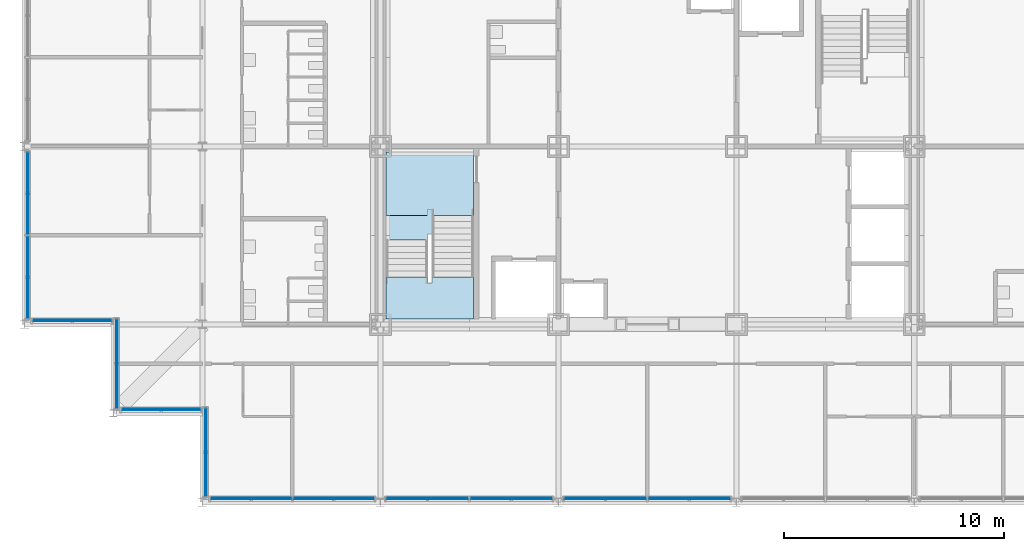
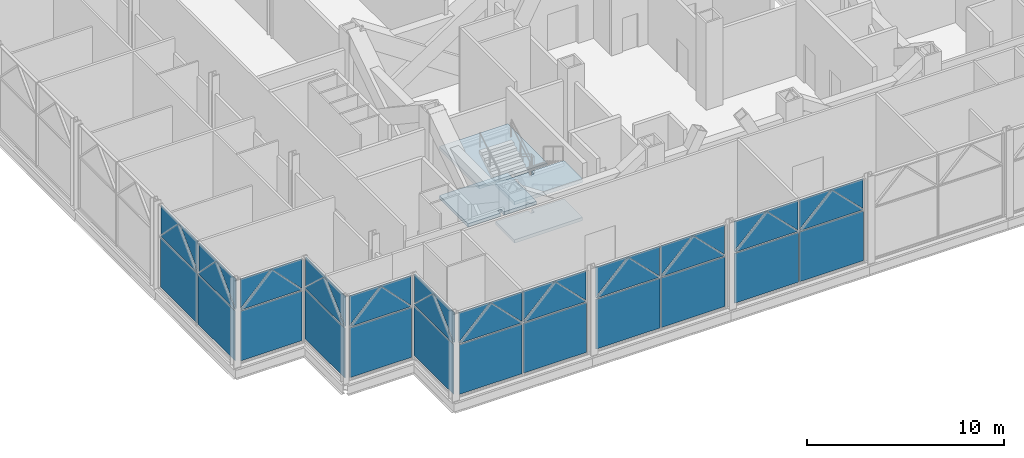
# One storey, part 14 of 26: 48 plates, 4 slabs, 9 elements without a shape of their own.
"""IFC4 building model written with IfcOpenShell, lengths in metres."""

from ifc_helpers import new_model, si_unit, direction, frame, origin, origin_2d, place, context, subcontext, project, spatial, polyline, rectangle, outline, extrude, material, layer, layer_set, type_object, element, aggregate, save


model = new_model("IFC4")

# Units and contexts
model_context = context("Model", 3, precision=1e-05, world=origin(), true_north=direction((0.0, 1.0)))
body_context = subcontext(model_context, "Body", "Model", "MODEL_VIEW")
ifc_project = project(units=[si_unit("LENGTHUNIT", "METRE"), si_unit("AREAUNIT", "SQUARE_METRE"), si_unit("VOLUMEUNIT", "CUBIC_METRE"), si_unit("PLANEANGLEUNIT", "RADIAN"), si_unit("MASSUNIT", "GRAM", prefix="KILO")], contexts=[model_context])

# Site, building, storey
site_placement = place(None, origin())
site = spatial("IfcSite", under=ifc_project, at=site_placement, CompositionType="ELEMENT")
building_placement = place(site_placement, origin())
building = spatial("IfcBuilding", under=site, at=building_placement, Name="Kopane Lantern Tower", CompositionType="ELEMENT")
storey_placement = place(building_placement, frame((0.0, 0.0, 293.10009765625)))
storey = spatial("IfcBuildingStorey", under=building, at=storey_placement, Name="L75", CompositionType="ELEMENT", Elevation=293.10009765625)

# Curtain wall, plates
ifc_material_1 = material(Name="Aluminium and clear glass", Category="aluminium")
curtain_wall_type = type_object("IfcCurtainWallType", Name="CURTAIN WALL CW5 SKY RESTAURANT", PredefinedType="USERDEFINED", material=ifc_material_1)
curtain_wall_1_placement = place(storey_placement, origin())
curtain_wall_1 = element("IfcCurtainWall", 1, at=curtain_wall_1_placement, inside=storey, type_object=curtain_wall_type, Name="Curtain wall CW5 S L75", ObjectType="CURTAIN WALL", PredefinedType="USERDEFINED")
ifc_material_2 = material(Name="Insulated clear glass unit", Category="glass")
ifc_layer_1 = layer(ifc_material_2, 0.035888671875)
ifc_layer_set_1 = layer_set([ifc_layer_1], Name="CURTAIN PANEL CW5-P 36")
plate_type = type_object("IfcPlateType", Name="CURTAIN PANEL CW5-P 36", PredefinedType="CURTAIN_PANEL", material=ifc_layer_set_1)
plate_1_placement = place(storey_placement, frame((10.317626953125, 16.35009765625, 0.0751953125), z_axis=(0.0, 0.0, 1.0), x_axis=(1.0, 0.0, 0.0)))
plate_1 = element("IfcPlate", 2, at=plate_1_placement, type_object=plate_type, Name="CW5 panel 1.1", PredefinedType="CURTAIN_PANEL", context=body_context, shape_type="SweptSolid", body=[
    extrude(rectangle(XDim=3.685302734375, YDim=0.035888671875, at=origin_2d()), origin(), (0.0, 0.0, 1.0), 3.077392578125),
])
plate_2_placement = place(storey_placement, frame((14.077880859375, 16.35009765625, 0.0751953125), z_axis=(0.0, 0.0, 1.0), x_axis=(1.0, 0.0, 0.0)))
plate_2 = element("IfcPlate", 3, at=plate_2_placement, type_object=plate_type, Name="CW5 panel 2.1", PredefinedType="CURTAIN_PANEL", context=body_context, shape_type="SweptSolid", body=[
    extrude(rectangle(XDim=3.685302734375, YDim=0.035888671875, at=origin_2d()), origin(), (0.0, 0.0, 1.0), 3.077392578125),
])
plate_3_placement = place(storey_placement, frame((8.47509765625, 16.35009765625, 3.227294921875), z_axis=(0.0, 0.0, 1.0), x_axis=(1.0, 0.0, 0.0)))
plate_3 = element("IfcPlate", 4, at=plate_3_placement, type_object=plate_type, Name="CW5 lancet panel 1", PredefinedType="CURTAIN_PANEL", context=body_context, shape_type="SweptSolid", body=[
    extrude(outline(polyline([(0.0, 0.0), (3.68505859375, 0.0), (3.685302734375, 0.001220703125), (1.842529296875, 1.890380859375), (0.0, 0.001220703125), (0.0, 0.0)])), frame((0.0, 0.01806640625, 0.0), z_axis=(0.0, -1.0, 0.0), x_axis=(1.0, 0.0, 0.0)), (0.0, 0.0, 1.0), 0.035888671875),
])
plate_4_placement = place(storey_placement, frame((8.47509765625, 16.387939453125, 5.114990234375), z_axis=(0.0, 0.0, 1.0), x_axis=(1.0, 0.0, 0.0)))
plate_4 = element("IfcPlate", 5, at=plate_4_placement, type_object=plate_type, Name="CW5 spandrel panel 1L", PredefinedType="CURTAIN_PANEL", context=body_context, shape_type="SweptSolid", body=[
    extrude(outline(polyline([(0.0, 0.0), (1.842529296875, 0.0), (1.842529296875, -0.0009765625), (0.0, -1.835205078125), (0.0, 0.0)])), frame((0.0, 0.01806640625, 0.0), z_axis=(0.0, -1.0, 0.0), x_axis=(1.0, 0.0, 0.0)), (0.0, 0.0, 1.0), 0.035888671875),
])
plate_5_placement = place(storey_placement, frame((12.16015625, 16.387939453125, 5.114990234375), z_axis=(0.0, 0.0, 1.0), x_axis=(-1.0, 0.0, 0.0)))
plate_5 = element("IfcPlate", 6, at=plate_5_placement, type_object=plate_type, Name="CW5 spandrel panel 1R", PredefinedType="CURTAIN_PANEL", context=body_context, shape_type="SweptSolid", body=[
    extrude(outline(polyline([(0.0, 0.0), (1.842529296875, 0.0), (1.842529296875, -0.0009765625), (0.0, -1.835205078125), (0.0, 0.0)])), frame((0.0, 0.01806640625, 0.0), z_axis=(0.0, -1.0, 0.0), x_axis=(1.0, 0.0, 0.0)), (0.0, 0.0, 1.0), 0.035888671875),
])
plate_6_placement = place(storey_placement, frame((12.2353515625, 16.35009765625, 3.227294921875), z_axis=(0.0, 0.0, 1.0), x_axis=(1.0, 0.0, 0.0)))
plate_6 = element("IfcPlate", 7, at=plate_6_placement, type_object=plate_type, Name="CW5 lancet panel 2", PredefinedType="CURTAIN_PANEL", context=body_context, shape_type="SweptSolid", body=[
    extrude(outline(polyline([(0.0, 0.0), (3.68505859375, 0.0), (3.685302734375, 0.001220703125), (1.842529296875, 1.890380859375), (0.0, 0.001220703125), (0.0, 0.0)])), frame((0.0, 0.01806640625, 0.0), z_axis=(0.0, -1.0, 0.0), x_axis=(1.0, 0.0, 0.0)), (0.0, 0.0, 1.0), 0.035888671875),
])
plate_7_placement = place(storey_placement, frame((12.2353515625, 16.387939453125, 5.114990234375), z_axis=(0.0, 0.0, 1.0), x_axis=(1.0, 0.0, 0.0)))
plate_7 = element("IfcPlate", 8, at=plate_7_placement, type_object=plate_type, Name="CW5 spandrel panel 2L", PredefinedType="CURTAIN_PANEL", context=body_context, shape_type="SweptSolid", body=[
    extrude(outline(polyline([(0.0, 0.0), (1.842529296875, 0.0), (1.842529296875, -0.0009765625), (0.0, -1.835205078125), (0.0, 0.0)])), frame((0.0, 0.01806640625, 0.0), z_axis=(0.0, -1.0, 0.0), x_axis=(1.0, 0.0, 0.0)), (0.0, 0.0, 1.0), 0.035888671875),
])
plate_8_placement = place(storey_placement, frame((15.92041015625, 16.387939453125, 5.114990234375), z_axis=(0.0, 0.0, 1.0), x_axis=(-1.0, 0.0, 0.0)))
plate_8 = element("IfcPlate", 9, at=plate_8_placement, type_object=plate_type, Name="CW5 spandrel panel 2R", PredefinedType="CURTAIN_PANEL", context=body_context, shape_type="SweptSolid", body=[
    extrude(outline(polyline([(0.0, 0.0), (1.842529296875, 0.0), (1.842529296875, -0.0009765625), (0.0, -1.835205078125), (0.0, 0.0)])), frame((0.0, 0.01806640625, 0.0), z_axis=(0.0, -1.0, 0.0), x_axis=(1.0, 0.0, 0.0)), (0.0, 0.0, 1.0), 0.035888671875),
])
aggregate(curtain_wall_1, [plate_1, plate_2, plate_3, plate_4, plate_5, plate_6, plate_7, plate_8])

curtain_wall_2_placement = place(storey_placement, origin())
curtain_wall_2 = element("IfcCurtainWall", 10, at=curtain_wall_2_placement, inside=storey, type_object=curtain_wall_type, Name="Curtain wall CW5 S L75", ObjectType="CURTAIN WALL", PredefinedType="USERDEFINED")
plate_9_placement = place(storey_placement, frame((18.345947265625, 16.35009765625, 0.0751953125), z_axis=(0.0, 0.0, 1.0), x_axis=(1.0, 0.0, 0.0)))
plate_9 = element("IfcPlate", 11, at=plate_9_placement, type_object=plate_type, Name="CW5 panel 1.1", PredefinedType="CURTAIN_PANEL", context=body_context, shape_type="SweptSolid", body=[
    extrude(rectangle(XDim=3.73291015625, YDim=0.035888671875, at=origin_2d()), origin(), (0.0, 0.0, 1.0), 3.077392578125),
])
plate_10_placement = place(storey_placement, frame((22.154052734375, 16.35009765625, 0.0751953125), z_axis=(0.0, 0.0, 1.0), x_axis=(1.0, 0.0, 0.0)))
plate_10 = element("IfcPlate", 12, at=plate_10_placement, type_object=plate_type, Name="CW5 panel 2.1", PredefinedType="CURTAIN_PANEL", context=body_context, shape_type="SweptSolid", body=[
    extrude(rectangle(XDim=3.73291015625, YDim=0.035888671875, at=origin_2d()), origin(), (0.0, 0.0, 1.0), 3.077392578125),
])
plate_11_placement = place(storey_placement, frame((16.4794921875, 16.35009765625, 3.227294921875), z_axis=(0.0, 0.0, 1.0), x_axis=(1.0, 0.0, 0.0)))
plate_11 = element("IfcPlate", 13, at=plate_11_placement, type_object=plate_type, Name="CW5 lancet panel 1", PredefinedType="CURTAIN_PANEL", context=body_context, shape_type="SweptSolid", body=[
    extrude(outline(polyline([(0.0, 0.0), (3.73291015625, 0.0), (3.73291015625, 0.001220703125), (1.866455078125, 1.888916015625), (0.0, 0.001220703125), (0.0, 0.0)])), frame((0.0, 0.01806640625, 0.0), z_axis=(0.0, -1.0, 0.0), x_axis=(1.0, 0.0, 0.0)), (0.0, 0.0, 1.0), 0.035888671875),
])
plate_12_placement = place(storey_placement, frame((16.4794921875, 16.387939453125, 5.114990234375), z_axis=(0.0, 0.0, 1.0), x_axis=(1.0, 0.0, 0.0)))
plate_12 = element("IfcPlate", 14, at=plate_12_placement, type_object=plate_type, Name="CW5 spandrel panel 1L", PredefinedType="CURTAIN_PANEL", context=body_context, shape_type="SweptSolid", body=[
    extrude(outline(polyline([(0.0, 0.0), (1.866455078125, 0.0), (1.866455078125, -0.0009765625), (0.0, -1.8349609375), (0.0, 0.0)])), frame((0.0, 0.01806640625, 0.0), z_axis=(0.0, -1.0, 0.0), x_axis=(1.0, 0.0, 0.0)), (0.0, 0.0, 1.0), 0.035888671875),
])
plate_13_placement = place(storey_placement, frame((20.21240234375, 16.387939453125, 5.114990234375), z_axis=(0.0, 0.0, 1.0), x_axis=(-1.0, 0.0, 0.0)))
plate_13 = element("IfcPlate", 15, at=plate_13_placement, type_object=plate_type, Name="CW5 spandrel panel 1R", PredefinedType="CURTAIN_PANEL", context=body_context, shape_type="SweptSolid", body=[
    extrude(outline(polyline([(0.0, 0.0), (1.866455078125, 0.0), (1.866455078125, -0.0009765625), (0.0, -1.8349609375), (0.0, 0.0)])), frame((0.0, 0.01806640625, 0.0), z_axis=(0.0, -1.0, 0.0), x_axis=(1.0, 0.0, 0.0)), (0.0, 0.0, 1.0), 0.035888671875),
])
plate_14_placement = place(storey_placement, frame((20.28759765625, 16.35009765625, 3.227294921875), z_axis=(0.0, 0.0, 1.0), x_axis=(1.0, 0.0, 0.0)))
plate_14 = element("IfcPlate", 16, at=plate_14_placement, type_object=plate_type, Name="CW5 lancet panel 2", PredefinedType="CURTAIN_PANEL", context=body_context, shape_type="SweptSolid", body=[
    extrude(outline(polyline([(0.0, 0.0), (3.73291015625, 0.0), (3.73291015625, 0.001220703125), (1.866455078125, 1.888916015625), (0.0, 0.001220703125), (0.0, 0.0)])), frame((0.0, 0.01806640625, 0.0), z_axis=(0.0, -1.0, 0.0), x_axis=(1.0, 0.0, 0.0)), (0.0, 0.0, 1.0), 0.035888671875),
])
plate_15_placement = place(storey_placement, frame((20.28759765625, 16.387939453125, 5.114990234375), z_axis=(0.0, 0.0, 1.0), x_axis=(1.0, 0.0, 0.0)))
plate_15 = element("IfcPlate", 17, at=plate_15_placement, type_object=plate_type, Name="CW5 spandrel panel 2L", PredefinedType="CURTAIN_PANEL", context=body_context, shape_type="SweptSolid", body=[
    extrude(outline(polyline([(0.0, 0.0), (1.866455078125, 0.0), (1.866455078125, -0.0009765625), (0.0, -1.8349609375), (0.0, 0.0)])), frame((0.0, 0.01806640625, 0.0), z_axis=(0.0, -1.0, 0.0), x_axis=(1.0, 0.0, 0.0)), (0.0, 0.0, 1.0), 0.035888671875),
])
plate_16_placement = place(storey_placement, frame((24.0205078125, 16.387939453125, 5.114990234375), z_axis=(0.0, 0.0, 1.0), x_axis=(-1.0, 0.0, 0.0)))
plate_16 = element("IfcPlate", 18, at=plate_16_placement, type_object=plate_type, Name="CW5 spandrel panel 2R", PredefinedType="CURTAIN_PANEL", context=body_context, shape_type="SweptSolid", body=[
    extrude(outline(polyline([(0.0, 0.0), (1.866455078125, 0.0), (1.866455078125, -0.0009765625), (0.0, -1.8349609375), (0.0, 0.0)])), frame((0.0, 0.01806640625, 0.0), z_axis=(0.0, -1.0, 0.0), x_axis=(1.0, 0.0, 0.0)), (0.0, 0.0, 1.0), 0.035888671875),
])
aggregate(curtain_wall_2, [plate_9, plate_10, plate_11, plate_12, plate_13, plate_14, plate_15, plate_16])

curtain_wall_3_placement = place(storey_placement, origin())
curtain_wall_3 = element("IfcCurtainWall", 19, at=curtain_wall_3_placement, inside=storey, type_object=curtain_wall_type, Name="Curtain wall CW5 S L75", ObjectType="CURTAIN WALL", PredefinedType="USERDEFINED")
plate_17_placement = place(storey_placement, frame((26.446044921875, 16.35009765625, 0.0751953125), z_axis=(0.0, 0.0, 1.0), x_axis=(1.0, 0.0, 0.0)))
plate_17 = element("IfcPlate", 20, at=plate_17_placement, type_object=plate_type, Name="CW5 panel 1.1", PredefinedType="CURTAIN_PANEL", context=body_context, shape_type="SweptSolid", body=[
    extrude(rectangle(XDim=3.73291015625, YDim=0.035888671875, at=origin_2d()), origin(), (0.0, 0.0, 1.0), 3.077392578125),
])
plate_18_placement = place(storey_placement, frame((30.25390625, 16.35009765625, 0.0751953125), z_axis=(0.0, 0.0, 1.0), x_axis=(1.0, 0.0, 0.0)))
plate_18 = element("IfcPlate", 21, at=plate_18_placement, type_object=plate_type, Name="CW5 panel 2.1", PredefinedType="CURTAIN_PANEL", context=body_context, shape_type="SweptSolid", body=[
    extrude(rectangle(XDim=3.73291015625, YDim=0.035888671875, at=origin_2d()), origin(), (0.0, 0.0, 1.0), 3.077392578125),
])
plate_19_placement = place(storey_placement, frame((24.57958984375, 16.35009765625, 3.227294921875), z_axis=(0.0, 0.0, 1.0), x_axis=(1.0, 0.0, 0.0)))
plate_19 = element("IfcPlate", 22, at=plate_19_placement, type_object=plate_type, Name="CW5 lancet panel 1", PredefinedType="CURTAIN_PANEL", context=body_context, shape_type="SweptSolid", body=[
    extrude(outline(polyline([(0.0, 0.0), (3.73291015625, 0.0), (3.73291015625, 0.001220703125), (1.866455078125, 1.888916015625), (0.0, 0.001220703125), (0.0, 0.0)])), frame((0.0, 0.01806640625, 0.0), z_axis=(0.0, -1.0, 0.0), x_axis=(1.0, 0.0, 0.0)), (0.0, 0.0, 1.0), 0.035888671875),
])
plate_20_placement = place(storey_placement, frame((24.57958984375, 16.387939453125, 5.114990234375), z_axis=(0.0, 0.0, 1.0), x_axis=(1.0, 0.0, 0.0)))
plate_20 = element("IfcPlate", 23, at=plate_20_placement, type_object=plate_type, Name="CW5 spandrel panel 1L", PredefinedType="CURTAIN_PANEL", context=body_context, shape_type="SweptSolid", body=[
    extrude(outline(polyline([(0.0, 0.0), (1.866455078125, 0.0), (1.866455078125, -0.0009765625), (0.0, -1.8349609375), (0.0, 0.0)])), frame((0.0, 0.01806640625, 0.0), z_axis=(0.0, -1.0, 0.0), x_axis=(1.0, 0.0, 0.0)), (0.0, 0.0, 1.0), 0.035888671875),
])
plate_21_placement = place(storey_placement, frame((28.3125, 16.387939453125, 5.114990234375), z_axis=(0.0, 0.0, 1.0), x_axis=(-1.0, 0.0, 0.0)))
plate_21 = element("IfcPlate", 24, at=plate_21_placement, type_object=plate_type, Name="CW5 spandrel panel 1R", PredefinedType="CURTAIN_PANEL", context=body_context, shape_type="SweptSolid", body=[
    extrude(outline(polyline([(0.0, 0.0), (1.866455078125, 0.0), (1.866455078125, -0.0009765625), (0.0, -1.8349609375), (0.0, 0.0)])), frame((0.0, 0.01806640625, 0.0), z_axis=(0.0, -1.0, 0.0), x_axis=(1.0, 0.0, 0.0)), (0.0, 0.0, 1.0), 0.035888671875),
])
plate_22_placement = place(storey_placement, frame((28.387451171875, 16.35009765625, 3.227294921875), z_axis=(0.0, 0.0, 1.0), x_axis=(1.0, 0.0, 0.0)))
plate_22 = element("IfcPlate", 25, at=plate_22_placement, type_object=plate_type, Name="CW5 lancet panel 2", PredefinedType="CURTAIN_PANEL", context=body_context, shape_type="SweptSolid", body=[
    extrude(outline(polyline([(0.0, 0.0), (3.733154296875, 0.0), (3.73291015625, 0.001220703125), (1.866455078125, 1.888916015625), (0.0, 0.001220703125), (0.0, 0.0)])), frame((0.0, 0.01806640625, 0.0), z_axis=(0.0, -1.0, 0.0), x_axis=(1.0, 0.0, 0.0)), (0.0, 0.0, 1.0), 0.035888671875),
])
plate_23_placement = place(storey_placement, frame((28.387451171875, 16.387939453125, 5.114990234375), z_axis=(0.0, 0.0, 1.0), x_axis=(1.0, 0.0, 0.0)))
plate_23 = element("IfcPlate", 26, at=plate_23_placement, type_object=plate_type, Name="CW5 spandrel panel 2L", PredefinedType="CURTAIN_PANEL", context=body_context, shape_type="SweptSolid", body=[
    extrude(outline(polyline([(0.0, 0.0), (1.866455078125, 0.0), (1.866455078125, -0.0009765625), (0.0, -1.8349609375), (0.0, 0.0)])), frame((0.0, 0.01806640625, 0.0), z_axis=(0.0, -1.0, 0.0), x_axis=(1.0, 0.0, 0.0)), (0.0, 0.0, 1.0), 0.035888671875),
])
plate_24_placement = place(storey_placement, frame((32.12060546875, 16.387939453125, 5.114990234375), z_axis=(0.0, 0.0, 1.0), x_axis=(-1.0, 0.0, 0.0)))
plate_24 = element("IfcPlate", 27, at=plate_24_placement, type_object=plate_type, Name="CW5 spandrel panel 2R", PredefinedType="CURTAIN_PANEL", context=body_context, shape_type="SweptSolid", body=[
    extrude(outline(polyline([(0.0, 0.0), (1.86669921875, 0.0), (1.866455078125, -0.0009765625), (0.0, -1.8349609375), (0.0, 0.0)])), frame((0.0, 0.01806640625, 0.0), z_axis=(0.0, -1.0, 0.0), x_axis=(1.0, 0.0, 0.0)), (0.0, 0.0, 1.0), 0.035888671875),
])
aggregate(curtain_wall_3, [plate_17, plate_18, plate_19, plate_20, plate_21, plate_22, plate_23, plate_24])

curtain_wall_4_placement = place(storey_placement, origin())
curtain_wall_4 = element("IfcCurtainWall", 28, at=curtain_wall_4_placement, inside=storey, type_object=curtain_wall_type, Name="Curtain wall CW5 W L75", ObjectType="CURTAIN WALL", PredefinedType="USERDEFINED")
plate_25_placement = place(storey_placement, frame((0.14990234375, 30.25537109375, 0.0751953125), z_axis=(0.0, 0.0, 1.0), x_axis=(0.0, -1.0, 0.0)))
plate_25 = element("IfcPlate", 29, at=plate_25_placement, type_object=plate_type, Name="CW5 panel 1.1", PredefinedType="CURTAIN_PANEL", context=body_context, shape_type="SweptSolid", body=[
    extrude(rectangle(XDim=3.735595703125, YDim=0.035888671875, at=origin_2d()), origin(), (0.0, 0.0, 1.0), 3.077392578125),
])
plate_26_placement = place(storey_placement, frame((0.14990234375, 26.444580078125, 0.0751953125), z_axis=(0.0, 0.0, 1.0), x_axis=(0.0, -1.0, 0.0)))
plate_26 = element("IfcPlate", 30, at=plate_26_placement, type_object=plate_type, Name="CW5 panel 2.1", PredefinedType="CURTAIN_PANEL", context=body_context, shape_type="SweptSolid", body=[
    extrude(rectangle(XDim=3.735595703125, YDim=0.035888671875, at=origin_2d()), origin(), (0.0, 0.0, 1.0), 3.077392578125),
])
plate_27_placement = place(storey_placement, frame((0.14990234375, 32.123291015625, 3.227294921875), z_axis=(0.0, 0.0, 1.0), x_axis=(0.0, -1.0, 0.0)))
plate_27 = element("IfcPlate", 31, at=plate_27_placement, type_object=plate_type, Name="CW5 lancet panel 1", PredefinedType="CURTAIN_PANEL", context=body_context, shape_type="SweptSolid", body=[
    extrude(outline(polyline([(0.0, 0.0), (3.73583984375, 0.0), (3.735595703125, 0.001220703125), (1.867919921875, 1.888916015625), (0.0, 0.001220703125), (0.0, 0.0)])), frame((0.0, 0.01806640625, 0.0), z_axis=(0.0, -1.0, 0.0), x_axis=(1.0, 0.0, 0.0)), (0.0, 0.0, 1.0), 0.035888671875),
])
plate_28_placement = place(storey_placement, frame((0.18798828125, 32.123291015625, 5.114990234375), z_axis=(0.0, 0.0, 1.0), x_axis=(0.0, -1.0, 0.0)))
plate_28 = element("IfcPlate", 32, at=plate_28_placement, type_object=plate_type, Name="CW5 spandrel panel 1L", PredefinedType="CURTAIN_PANEL", context=body_context, shape_type="SweptSolid", body=[
    extrude(outline(polyline([(0.0, 0.0), (1.867919921875, 0.0), (1.867919921875, -0.0009765625), (0.0, -1.8349609375), (0.0, 0.0)])), frame((0.0, 0.01806640625, 0.0), z_axis=(0.0, -1.0, 0.0), x_axis=(1.0, 0.0, 0.0)), (0.0, 0.0, 1.0), 0.035888671875),
])
plate_29_placement = place(storey_placement, frame((0.18798828125, 28.387451171875, 5.114990234375), z_axis=(0.0, 0.0, 1.0), x_axis=(0.0, 1.0, 0.0)))
plate_29 = element("IfcPlate", 33, at=plate_29_placement, type_object=plate_type, Name="CW5 spandrel panel 1R", PredefinedType="CURTAIN_PANEL", context=body_context, shape_type="SweptSolid", body=[
    extrude(outline(polyline([(0.0, 0.0), (1.867919921875, 0.0), (1.867919921875, -0.0009765625), (0.0, -1.8349609375), (0.0, 0.0)])), frame((0.0, 0.01806640625, 0.0), z_axis=(0.0, -1.0, 0.0), x_axis=(1.0, 0.0, 0.0)), (0.0, 0.0, 1.0), 0.035888671875),
])
plate_30_placement = place(storey_placement, frame((0.14990234375, 28.3125, 3.227294921875), z_axis=(0.0, 0.0, 1.0), x_axis=(0.0, -1.0, 0.0)))
plate_30 = element("IfcPlate", 34, at=plate_30_placement, type_object=plate_type, Name="CW5 lancet panel 2", PredefinedType="CURTAIN_PANEL", context=body_context, shape_type="SweptSolid", body=[
    extrude(outline(polyline([(0.0, 0.0), (3.735595703125, 0.0), (3.735595703125, 0.001220703125), (1.867919921875, 1.888916015625), (0.0, 0.001220703125), (0.0, 0.0)])), frame((0.0, 0.01806640625, 0.0), z_axis=(0.0, -1.0, 0.0), x_axis=(1.0, 0.0, 0.0)), (0.0, 0.0, 1.0), 0.035888671875),
])
plate_31_placement = place(storey_placement, frame((0.18798828125, 28.3125, 5.114990234375), z_axis=(0.0, 0.0, 1.0), x_axis=(0.0, -1.0, 0.0)))
plate_31 = element("IfcPlate", 35, at=plate_31_placement, type_object=plate_type, Name="CW5 spandrel panel 2L", PredefinedType="CURTAIN_PANEL", context=body_context, shape_type="SweptSolid", body=[
    extrude(outline(polyline([(0.0, 0.0), (1.867919921875, 0.0), (1.867919921875, -0.0009765625), (0.0, -1.8349609375), (0.0, 0.0)])), frame((0.0, 0.01806640625, 0.0), z_axis=(0.0, -1.0, 0.0), x_axis=(1.0, 0.0, 0.0)), (0.0, 0.0, 1.0), 0.035888671875),
])
plate_32_placement = place(storey_placement, frame((0.18798828125, 24.576904296875, 5.114990234375), z_axis=(0.0, 0.0, 1.0), x_axis=(0.0, 1.0, 0.0)))
plate_32 = element("IfcPlate", 36, at=plate_32_placement, type_object=plate_type, Name="CW5 spandrel panel 2R", PredefinedType="CURTAIN_PANEL", context=body_context, shape_type="SweptSolid", body=[
    extrude(outline(polyline([(0.0, 0.0), (1.86767578125, 0.0), (1.867919921875, -0.0009765625), (0.0, -1.8349609375), (0.0, 0.0)])), frame((0.0, 0.01806640625, 0.0), z_axis=(0.0, -1.0, 0.0), x_axis=(1.0, 0.0, 0.0)), (0.0, 0.0, 1.0), 0.035888671875),
])
aggregate(curtain_wall_4, [plate_25, plate_26, plate_27, plate_28, plate_29, plate_30, plate_31, plate_32])

curtain_wall_5_placement = place(storey_placement, origin())
curtain_wall_5 = element("IfcCurtainWall", 37, at=curtain_wall_5_placement, inside=storey, type_object=curtain_wall_type, Name="Curtain wall CW5 S L75", ObjectType="CURTAIN WALL", PredefinedType="USERDEFINED")
plate_33_placement = place(storey_placement, frame((2.175048828125, 24.449951171875, 0.0751953125), z_axis=(0.0, 0.0, 1.0), x_axis=(1.0, 0.0, 0.0)))
plate_33 = element("IfcPlate", 38, at=plate_33_placement, type_object=plate_type, Name="CW5 panel 1.1", PredefinedType="CURTAIN_PANEL", context=body_context, shape_type="SweptSolid", body=[
    extrude(rectangle(XDim=3.60009765625, YDim=0.035888671875, at=origin_2d()), origin(), (0.0, 0.0, 1.0), 3.077392578125),
])
plate_34_placement = place(storey_placement, frame((0.375, 24.449951171875, 3.227294921875), z_axis=(0.0, 0.0, 1.0), x_axis=(1.0, 0.0, 0.0)))
plate_34 = element("IfcPlate", 39, at=plate_34_placement, type_object=plate_type, Name="CW5 lancet panel 1", PredefinedType="CURTAIN_PANEL", context=body_context, shape_type="SweptSolid", body=[
    extrude(outline(polyline([(0.0, 0.0), (3.60009765625, 0.0), (3.60009765625, 0.001220703125), (1.800048828125, 1.89306640625), (0.0, 0.001220703125), (0.0, 0.0)])), frame((0.0, 0.01806640625, 0.0), z_axis=(0.0, -1.0, 0.0), x_axis=(1.0, 0.0, 0.0)), (0.0, 0.0, 1.0), 0.035888671875),
])
plate_35_placement = place(storey_placement, frame((0.375, 24.488037109375, 5.114990234375), z_axis=(0.0, 0.0, 1.0), x_axis=(1.0, 0.0, 0.0)))
plate_35 = element("IfcPlate", 40, at=plate_35_placement, type_object=plate_type, Name="CW5 spandrel panel 1L", PredefinedType="CURTAIN_PANEL", context=body_context, shape_type="SweptSolid", body=[
    extrude(outline(polyline([(0.0, 0.0), (1.800048828125, 0.0), (1.800048828125, -0.0009765625), (0.0, -1.8359375), (0.0, 0.0)])), frame((0.0, 0.01806640625, 0.0), z_axis=(0.0, -1.0, 0.0), x_axis=(1.0, 0.0, 0.0)), (0.0, 0.0, 1.0), 0.035888671875),
])
plate_36_placement = place(storey_placement, frame((3.97509765625, 24.488037109375, 5.114990234375), z_axis=(0.0, 0.0, 1.0), x_axis=(-1.0, 0.0, 0.0)))
plate_36 = element("IfcPlate", 41, at=plate_36_placement, type_object=plate_type, Name="CW5 spandrel panel 1R", PredefinedType="CURTAIN_PANEL", context=body_context, shape_type="SweptSolid", body=[
    extrude(outline(polyline([(0.0, 0.0), (1.800048828125, 0.0), (1.800048828125, -0.0009765625), (0.0, -1.8359375), (0.0, 0.0)])), frame((0.0, 0.01806640625, 0.0), z_axis=(0.0, -1.0, 0.0), x_axis=(1.0, 0.0, 0.0)), (0.0, 0.0, 1.0), 0.035888671875),
])
aggregate(curtain_wall_5, [plate_33, plate_34, plate_35, plate_36])

curtain_wall_6_placement = place(storey_placement, origin())
curtain_wall_6 = element("IfcCurtainWall", 42, at=curtain_wall_6_placement, inside=storey, type_object=curtain_wall_type, Name="Curtain wall CW5 W L75", ObjectType="CURTAIN WALL", PredefinedType="USERDEFINED")
plate_37_placement = place(storey_placement, frame((4.199951171875, 22.506103515625, 0.0751953125), z_axis=(0.0, 0.0, 1.0), x_axis=(0.0, -1.0, 0.0)))
plate_37 = element("IfcPlate", 43, at=plate_37_placement, type_object=plate_type, Name="CW5 panel 1.1", PredefinedType="CURTAIN_PANEL", context=body_context, shape_type="SweptSolid", body=[
    extrude(rectangle(XDim=4.03759765625, YDim=0.035888671875, at=origin_2d()), origin(), (0.0, 0.0, 1.0), 3.077392578125),
])
plate_38_placement = place(storey_placement, frame((4.199951171875, 24.52490234375, 3.227294921875), z_axis=(0.0, 0.0, 1.0), x_axis=(0.0, -1.0, 0.0)))
plate_38 = element("IfcPlate", 44, at=plate_38_placement, type_object=plate_type, Name="CW5 lancet panel 1", PredefinedType="CURTAIN_PANEL", context=body_context, shape_type="SweptSolid", body=[
    extrude(outline(polyline([(0.0, 0.0), (4.03759765625, 0.0), (4.03759765625, 0.001220703125), (2.018798828125, 1.88037109375), (0.0, 0.001220703125), (0.0, 0.0)])), frame((0.0, 0.01806640625, 0.0), z_axis=(0.0, -1.0, 0.0), x_axis=(1.0, 0.0, 0.0)), (0.0, 0.0, 1.0), 0.035888671875),
])
plate_39_placement = place(storey_placement, frame((4.238037109375, 24.52490234375, 5.114990234375), z_axis=(0.0, 0.0, 1.0), x_axis=(0.0, -1.0, 0.0)))
plate_39 = element("IfcPlate", 45, at=plate_39_placement, type_object=plate_type, Name="CW5 spandrel panel 1L", PredefinedType="CURTAIN_PANEL", context=body_context, shape_type="SweptSolid", body=[
    extrude(outline(polyline([(0.0, 0.0), (2.018798828125, 0.0), (2.018798828125, -0.0009765625), (0.0, -1.832763671875), (0.0, 0.0)])), frame((0.0, 0.01806640625, 0.0), z_axis=(0.0, -1.0, 0.0), x_axis=(1.0, 0.0, 0.0)), (0.0, 0.0, 1.0), 0.035888671875),
])
plate_40_placement = place(storey_placement, frame((4.238037109375, 20.4873046875, 5.114990234375), z_axis=(0.0, 0.0, 1.0), x_axis=(0.0, 1.0, 0.0)))
plate_40 = element("IfcPlate", 46, at=plate_40_placement, type_object=plate_type, Name="CW5 spandrel panel 1R", PredefinedType="CURTAIN_PANEL", context=body_context, shape_type="SweptSolid", body=[
    extrude(outline(polyline([(0.0, 0.0), (2.018798828125, 0.0), (2.018798828125, -0.0009765625), (0.0, -1.832763671875), (0.0, 0.0)])), frame((0.0, 0.01806640625, 0.0), z_axis=(0.0, -1.0, 0.0), x_axis=(1.0, 0.0, 0.0)), (0.0, 0.0, 1.0), 0.035888671875),
])
aggregate(curtain_wall_6, [plate_37, plate_38, plate_39, plate_40])

curtain_wall_7_placement = place(storey_placement, origin())
curtain_wall_7 = element("IfcCurtainWall", 47, at=curtain_wall_7_placement, inside=storey, type_object=curtain_wall_type, Name="Curtain wall CW5 S L75", ObjectType="CURTAIN WALL", PredefinedType="USERDEFINED")
plate_41_placement = place(storey_placement, frame((6.22509765625, 20.39990234375, 0.0751953125), z_axis=(0.0, 0.0, 1.0), x_axis=(1.0, 0.0, 0.0)))
plate_41 = element("IfcPlate", 48, at=plate_41_placement, type_object=plate_type, Name="CW5 panel 1.1", PredefinedType="CURTAIN_PANEL", context=body_context, shape_type="SweptSolid", body=[
    extrude(rectangle(XDim=3.60009765625, YDim=0.035888671875, at=origin_2d()), origin(), (0.0, 0.0, 1.0), 3.077392578125),
])
plate_42_placement = place(storey_placement, frame((4.425048828125, 20.39990234375, 3.227294921875), z_axis=(0.0, 0.0, 1.0), x_axis=(1.0, 0.0, 0.0)))
plate_42 = element("IfcPlate", 49, at=plate_42_placement, type_object=plate_type, Name="CW5 lancet panel 1", PredefinedType="CURTAIN_PANEL", context=body_context, shape_type="SweptSolid", body=[
    extrude(outline(polyline([(0.0, 0.0), (3.599853515625, 0.0), (3.60009765625, 0.001220703125), (1.800048828125, 1.89306640625), (0.0, 0.001220703125), (0.0, 0.0)])), frame((0.0, 0.01806640625, 0.0), z_axis=(0.0, -1.0, 0.0), x_axis=(1.0, 0.0, 0.0)), (0.0, 0.0, 1.0), 0.035888671875),
])
plate_43_placement = place(storey_placement, frame((4.425048828125, 20.43798828125, 5.114990234375), z_axis=(0.0, 0.0, 1.0), x_axis=(1.0, 0.0, 0.0)))
plate_43 = element("IfcPlate", 50, at=plate_43_placement, type_object=plate_type, Name="CW5 spandrel panel 1L", PredefinedType="CURTAIN_PANEL", context=body_context, shape_type="SweptSolid", body=[
    extrude(outline(polyline([(0.0, 0.0), (1.800048828125, 0.0), (1.800048828125, -0.0009765625), (0.0, -1.8359375), (0.0, 0.0)])), frame((0.0, 0.01806640625, 0.0), z_axis=(0.0, -1.0, 0.0), x_axis=(1.0, 0.0, 0.0)), (0.0, 0.0, 1.0), 0.035888671875),
])
plate_44_placement = place(storey_placement, frame((8.02490234375, 20.43798828125, 5.114990234375), z_axis=(0.0, 0.0, 1.0), x_axis=(-1.0, 0.0, 0.0)))
plate_44 = element("IfcPlate", 51, at=plate_44_placement, type_object=plate_type, Name="CW5 spandrel panel 1R", PredefinedType="CURTAIN_PANEL", context=body_context, shape_type="SweptSolid", body=[
    extrude(outline(polyline([(0.0, 0.0), (1.7998046875, 0.0), (1.800048828125, -0.0009765625), (0.0, -1.8359375), (0.0, 0.0)])), frame((0.0, 0.01806640625, 0.0), z_axis=(0.0, -1.0, 0.0), x_axis=(1.0, 0.0, 0.0)), (0.0, 0.0, 1.0), 0.035888671875),
])
aggregate(curtain_wall_7, [plate_41, plate_42, plate_43, plate_44])

curtain_wall_8_placement = place(storey_placement, origin())
curtain_wall_8 = element("IfcCurtainWall", 52, at=curtain_wall_8_placement, inside=storey, type_object=curtain_wall_type, Name="Curtain wall CW5 W L75", ObjectType="CURTAIN WALL", PredefinedType="USERDEFINED")
plate_45_placement = place(storey_placement, frame((8.25, 18.475830078125, 0.0751953125), z_axis=(0.0, 0.0, 1.0), x_axis=(0.0, -1.0, 0.0)))
plate_45 = element("IfcPlate", 53, at=plate_45_placement, type_object=plate_type, Name="CW5 panel 1.1", PredefinedType="CURTAIN_PANEL", context=body_context, shape_type="SweptSolid", body=[
    extrude(rectangle(XDim=3.998291015625, YDim=0.035888671875, at=origin_2d()), origin(), (0.0, 0.0, 1.0), 3.077392578125),
])
plate_46_placement = place(storey_placement, frame((8.25, 20.47509765625, 3.227294921875), z_axis=(0.0, 0.0, 1.0), x_axis=(0.0, -1.0, 0.0)))
plate_46 = element("IfcPlate", 54, at=plate_46_placement, type_object=plate_type, Name="CW5 lancet panel 1", PredefinedType="CURTAIN_PANEL", context=body_context, shape_type="SweptSolid", body=[
    extrude(outline(polyline([(0.0, 0.0), (3.998291015625, 0.0), (3.998291015625, 0.001220703125), (1.9990234375, 1.88134765625), (0.0, 0.001220703125), (0.0, 0.0)])), frame((0.0, 0.01806640625, 0.0), z_axis=(0.0, -1.0, 0.0), x_axis=(1.0, 0.0, 0.0)), (0.0, 0.0, 1.0), 0.035888671875),
])
plate_47_placement = place(storey_placement, frame((8.2880859375, 20.47509765625, 5.114990234375), z_axis=(0.0, 0.0, 1.0), x_axis=(0.0, -1.0, 0.0)))
plate_47 = element("IfcPlate", 55, at=plate_47_placement, type_object=plate_type, Name="CW5 spandrel panel 1L", PredefinedType="CURTAIN_PANEL", context=body_context, shape_type="SweptSolid", body=[
    extrude(outline(polyline([(0.0, 0.0), (1.999267578125, 0.0), (1.9990234375, -0.0009765625), (0.0, -1.8330078125), (0.0, 0.0)])), frame((0.0, 0.01806640625, 0.0), z_axis=(0.0, -1.0, 0.0), x_axis=(1.0, 0.0, 0.0)), (0.0, 0.0, 1.0), 0.035888671875),
])
plate_48_placement = place(storey_placement, frame((8.2880859375, 16.476806640625, 5.114990234375), z_axis=(0.0, 0.0, 1.0), x_axis=(0.0, 1.0, 0.0)))
plate_48 = element("IfcPlate", 56, at=plate_48_placement, type_object=plate_type, Name="CW5 spandrel panel 1R", PredefinedType="CURTAIN_PANEL", context=body_context, shape_type="SweptSolid", body=[
    extrude(outline(polyline([(0.0, 0.0), (1.9990234375, 0.0), (1.9990234375, -0.0009765625), (0.0, -1.8330078125), (0.0, 0.0)])), frame((0.0, 0.01806640625, 0.0), z_axis=(0.0, -1.0, 0.0), x_axis=(1.0, 0.0, 0.0)), (0.0, 0.0, 1.0), 0.035888671875),
])
aggregate(curtain_wall_8, [plate_45, plate_46, plate_47, plate_48])

# Stair, slabs
ifc_material_3 = material(Name="Steel S355JR", Category="steel")
stair_type = type_object("IfcStairType", Name="EXIT STAIR 1900 HALF TURN", PredefinedType="HALF_TURN_STAIR", material=ifc_material_3)
stair_placement = place(storey_placement, origin())
stair = element("IfcStair", 57, at=stair_placement, inside=storey, type_object=stair_type, Name="Exit stair ST1 L75", PredefinedType="HALF_TURN_STAIR")
ifc_material_4 = material(Name="Concrete C40/50", Category="concrete")
ifc_layer_2 = layer(ifc_material_4, 0.199951171875)
ifc_layer_set_2 = layer_set([ifc_layer_2], Name="STAIR LANDING 200")
slab_type = type_object("IfcSlabType", Name="STAIR LANDING 200", PredefinedType="LANDING", material=ifc_layer_set_2)
slab_1_placement = place(storey_placement, frame((0.0, 0.0, -0.2001953125)))
slab_1 = element("IfcSlab", 58, at=slab_1_placement, type_object=slab_type, Name="ST1 landing 1", PredefinedType="LANDING", context=body_context, shape_type="SweptSolid", body=[
    extrude(outline(polyline([(18.35009765625, 29.530029296875), (18.550048828125, 29.530029296875), (18.550048828125, 29.25), (20.449951171875, 29.25), (20.449951171875, 32.14990234375), (16.449951171875, 32.14990234375), (16.449951171875, 29.25), (18.35009765625, 29.25), (18.35009765625, 29.530029296875)])), origin(), (0.0, 0.0, 1.0), 0.2001953125),
])
slab_2_placement = place(storey_placement, frame((0.0, 0.0, 1.65625)))
slab_2 = element("IfcSlab", 59, at=slab_2_placement, type_object=slab_type, Name="ST1 landing 2", PredefinedType="LANDING", context=body_context, shape_type="SweptSolid", body=[
    extrude(outline(polyline([(20.449951171875, 26.449951171875), (18.550048828125, 26.449951171875), (18.550048828125, 26.169921875), (18.35009765625, 26.169921875), (18.35009765625, 26.449951171875), (16.449951171875, 26.449951171875), (16.449951171875, 24.550048828125), (20.449951171875, 24.550048828125), (20.449951171875, 26.449951171875)])), origin(), (0.0, 0.0, 1.0), 0.199951171875),
])
slab_3_placement = place(storey_placement, frame((0.0, 0.0, 2.83740234375)))
slab_3 = element("IfcSlab", 60, at=slab_3_placement, type_object=slab_type, Name="ST1 landing 3", PredefinedType="LANDING", context=body_context, shape_type="SweptSolid", body=[
    extrude(outline(polyline([(18.35009765625, 28.409912109375), (18.550048828125, 28.409912109375), (18.550048828125, 28.1298828125), (20.449951171875, 28.1298828125), (20.449951171875, 32.14990234375), (16.449951171875, 32.14990234375), (16.449951171875, 28.1298828125), (18.35009765625, 28.1298828125), (18.35009765625, 28.409912109375)])), origin(), (0.0, 0.0, 1.0), 0.199951171875),
])
slab_4_placement = place(storey_placement, frame((0.0, 0.0, 4.0185546875)))
slab_4 = element("IfcSlab", 61, at=slab_4_placement, type_object=slab_type, Name="ST1 landing 4", PredefinedType="LANDING", context=body_context, shape_type="SweptSolid", body=[
    extrude(outline(polyline([(20.449951171875, 26.449951171875), (18.550048828125, 26.449951171875), (18.550048828125, 26.169921875), (18.35009765625, 26.169921875), (18.35009765625, 26.449951171875), (16.449951171875, 26.449951171875), (16.449951171875, 24.550048828125), (20.449951171875, 24.550048828125), (20.449951171875, 26.449951171875)])), origin(), (0.0, 0.0, 1.0), 0.199951171875),
])
aggregate(stair, [slab_1, slab_2, slab_3, slab_4])

save(model, "model.ifc")
